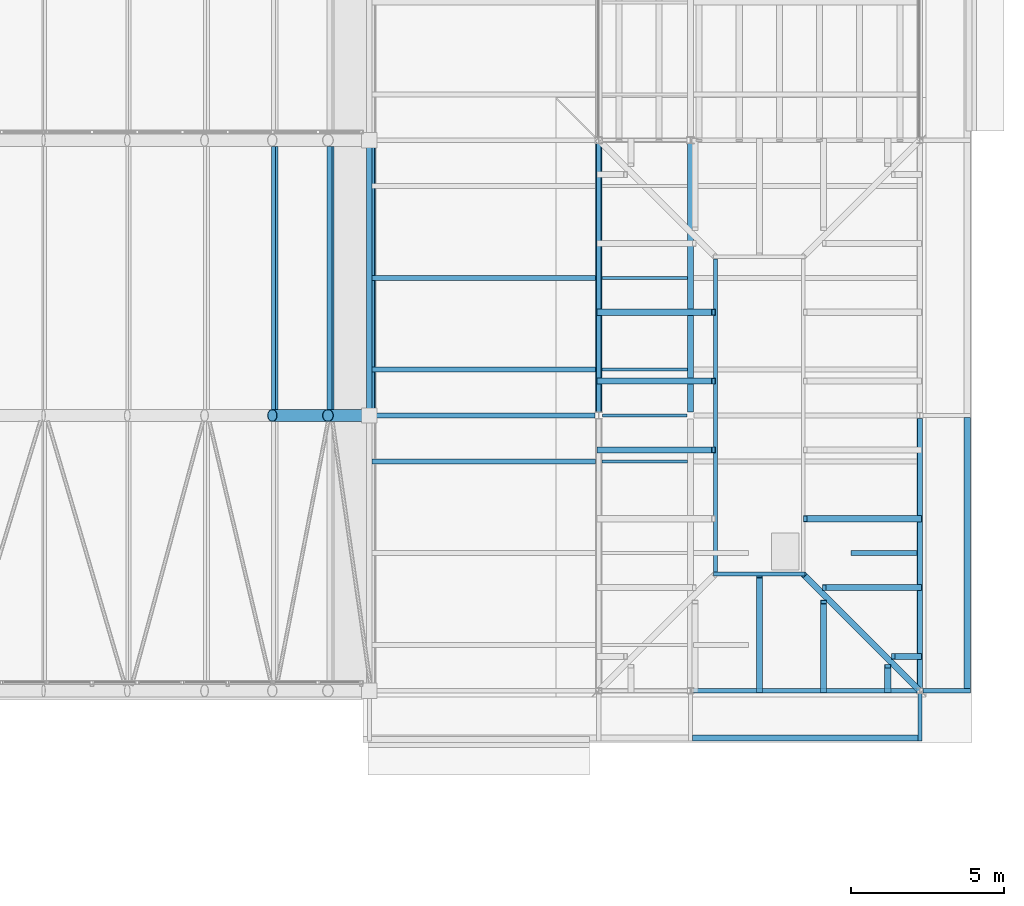
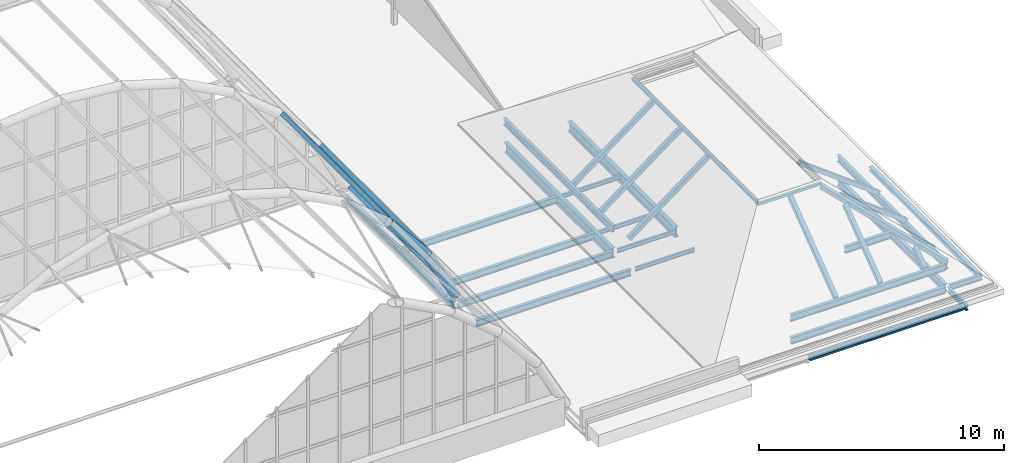
# One storey, part 30 of 121: 21 beams, 17 members.
"""IFC4 building model written with IfcOpenShell, lengths in metres."""

from ifc_helpers import new_model, si_unit, direction, frame, origin, origin_2d, place, context, subcontext, project, spatial, hollow_rectangle, hollow_circle, i_section, extrude, material, material_profile, profile_set, type_object, element, save


model = new_model("IFC4")

# Units and contexts
model_context = context("Model", 3, precision=1e-05, world=origin(), true_north=direction((0.0, 1.0)))
body_context = subcontext(model_context, "Body", "Model", "MODEL_VIEW")
ifc_project = project(units=[si_unit("LENGTHUNIT", "METRE"), si_unit("AREAUNIT", "SQUARE_METRE"), si_unit("VOLUMEUNIT", "CUBIC_METRE"), si_unit("PLANEANGLEUNIT", "RADIAN"), si_unit("MASSUNIT", "GRAM", prefix="KILO")], contexts=[model_context])

# Site, building, storey
site_placement = place(None, origin())
site = spatial("IfcSite", under=ifc_project, at=site_placement, CompositionType="ELEMENT")
building_placement = place(site_placement, origin())
building = spatial("IfcBuilding", under=site, at=building_placement, Name="Golden Quay Civic Hall", CompositionType="ELEMENT")
storey_placement = place(building_placement, frame((0.0, 0.0, 18.60009765625)))
storey = spatial("IfcBuildingStorey", under=building, at=storey_placement, Name="L04", CompositionType="ELEMENT", Elevation=18.60009765625)

# Beams
ifc_material_1 = material(Name="Steel S355", Category="steel")
ifc_material_profile_1 = material_profile(ifc_material_1, i_section(OverallWidth=0.199951171875, OverallDepth=0.18994140625, WebThickness=0.006591796875, FlangeThickness=0.010009765625, FilletRadius=0.01806640625, at=origin_2d()), Name="HEA 200")
ifc_profile_set_1 = profile_set([ifc_material_profile_1], Name="Steel S355")
beam_type_1 = type_object("IfcBeamType", Name="Eave edge beam HEA 200", PredefinedType="BEAM", material=ifc_profile_set_1)
beam_1_placement = place(storey_placement, frame((118.550048828125, 0.0673828125, -0.34521484375), z_axis=(0.0, 1.0, 0.0), x_axis=(-1.0, 0.0, 0.0)))
element("IfcBeam", 1, at=beam_1_placement, inside=storey, type_object=beam_type_1, Name="Eave edge beam HEA 200 L04 16", PredefinedType="BEAM", context=body_context, shape_type="SweptSolid", body=[
    extrude(i_section(OverallWidth=0.199951171875, OverallDepth=0.18994140625, WebThickness=0.006591796875, FlangeThickness=0.010009765625, FilletRadius=0.01806640625, at=origin_2d()), origin(), (0.0, 0.0, 1.0), 8.865234375),
])
beam_2_placement = place(storey_placement, frame((109.5673828125, -1.550048828125, -0.34521484375), z_axis=(1.0, 0.0, 0.0), x_axis=(0.0, 1.0, 0.0)))
element("IfcBeam", 2, at=beam_2_placement, inside=storey, type_object=beam_type_1, Name="Eave edge beam HEA 200 L04 24", PredefinedType="BEAM", context=body_context, shape_type="SweptSolid", body=[
    extrude(i_section(OverallWidth=0.199951171875, OverallDepth=0.18994140625, WebThickness=0.006591796875, FlangeThickness=0.010009765625, FilletRadius=0.01806640625, at=origin_2d()), origin(), (0.0, 0.0, 1.0), 7.365234375),
])
ifc_material_2 = material(Name="Steel S355", Category="steel")
ifc_material_profile_2 = material_profile(ifc_material_2, i_section(OverallWidth=0.135009765625, OverallDepth=0.27001953125, WebThickness=0.006591796875, FlangeThickness=0.01025390625, FilletRadius=0.014892578125, at=origin_2d()), Name="IPE 270")
ifc_profile_set_2 = profile_set([ifc_material_profile_2], Name="Steel S355")
beam_type_2 = type_object("IfcBeamType", Name="Eave stub IPE 270", PredefinedType="BEAM", material=ifc_profile_set_2)
beam_3_placement = place(storey_placement, frame((117.10009765625, 0.0, -0.385009765625), z_axis=(1.0, 0.0, 0.0), x_axis=(0.0, 1.0, 0.0)))
element("IfcBeam", 3, at=beam_3_placement, inside=storey, type_object=beam_type_2, Name="Eave stub IPE 270 L04 20", PredefinedType="BEAM", context=body_context, shape_type="SweptSolid", body=[
    extrude(i_section(OverallWidth=0.135009765625, OverallDepth=0.27001953125, WebThickness=0.006591796875, FlangeThickness=0.01025390625, FilletRadius=0.014892578125, at=origin_2d()), origin(), (0.0, 0.0, 1.0), 1.5498046875),
])
beam_4_placement = place(storey_placement, frame((117.0, -0.094970703125, -0.385009765625), z_axis=(0.0, -1.0, 0.0), x_axis=(1.0, 0.0, 0.0)))
element("IfcBeam", 4, at=beam_4_placement, inside=storey, type_object=beam_type_2, Name="Eave stub IPE 270 L04 30", PredefinedType="BEAM", context=body_context, shape_type="SweptSolid", body=[
    extrude(i_section(OverallWidth=0.135009765625, OverallDepth=0.27001953125, WebThickness=0.006591796875, FlangeThickness=0.01025390625, FilletRadius=0.014892578125, at=origin_2d()), origin(), (0.0, 0.0, 1.0), 1.554931640625),
])

# Members
ifc_material_3 = material(Name="Steel S355", Category="steel")
ifc_material_profile_3 = material_profile(ifc_material_3, hollow_circle(Radius=0.203125, WallThickness=0.01611328125, at=origin_2d()), Name="CHS 406.4x16")
ifc_profile_set_3 = profile_set([ifc_material_profile_3], Name="Steel S355")
member_type_1 = type_object("IfcMemberType", Name="Steel arch rib CHS 406.4x16", PredefinedType="USERDEFINED", material=ifc_profile_set_3)
for number, where, z_axis, x_axis, name in (
    (5, (95.826904296875, 9.0, 4.830810546875), (0.635608575128, 0.0, -0.772011489049), (0.0, 1.0, 0.0), "Arch rib 2 segment 11"),
    (6, (97.64599609375, 9.0, 2.621337890625), (0.473092307375, 0.0, -0.881012865231), (0.0, 1.0, 0.0), "Arch rib 2 segment 12"),
):
    element("IfcMember", number, at=place(storey_placement, frame(where, z_axis=z_axis, x_axis=x_axis)), inside=storey, type_object=member_type_1, Name=name, ObjectType="ARCH RIB", PredefinedType="USERDEFINED", context=body_context, shape_type="SweptSolid", body=[
        extrude(hollow_circle(Radius=0.203125, WallThickness=0.01611328125, at=origin_2d()), origin(), (0.0, 0.0, 1.0), 2.862060546875),
    ])

# Beams
ifc_material_4 = material(Name="Steel S355", Category="steel")
ifc_material_profile_4 = material_profile(ifc_material_4, i_section(OverallWidth=0.10009765625, OverallDepth=0.199951171875, WebThickness=0.005615234375, FlangeThickness=0.008544921875, FilletRadius=0.011962890625, at=origin_2d()), Name="IPE 200")
ifc_profile_set_4 = profile_set([ifc_material_profile_4], Name="Steel S355")
beam_type_3 = type_object("IfcBeamType", Name="Steel beam IPE 200", PredefinedType="BEAM", material=ifc_profile_set_4)
beam_5_placement = place(storey_placement, frame((106.6201171875, 9.0, -0.35009765625), z_axis=(1.0, 0.0, 0.0), x_axis=(0.0, 1.0, 0.0)))
element("IfcBeam", 7, at=beam_5_placement, inside=storey, type_object=beam_type_3, Name="Beam S9-106.5", PredefinedType="BEAM", context=body_context, shape_type="SweptSolid", body=[
    extrude(i_section(OverallWidth=0.10009765625, OverallDepth=0.199951171875, WebThickness=0.005615234375, FlangeThickness=0.008544921875, FilletRadius=0.011962890625, at=origin_2d()), origin(), (0.0, 0.0, 1.0), 2.759765625),
])
ifc_material_5 = material(Name="Steel S355", Category="steel")
ifc_material_profile_5 = material_profile(ifc_material_5, i_section(OverallWidth=0.159912109375, OverallDepth=0.330078125, WebThickness=0.007568359375, FlangeThickness=0.011474609375, FilletRadius=0.01806640625, at=origin_2d()), Name="IPE 330")
ifc_profile_set_5 = profile_set([ifc_material_profile_5], Name="Steel S355")
beam_type_4 = type_object("IfcBeamType", Name="Steel beam IPE 330", PredefinedType="BEAM", material=ifc_profile_set_5)
beam_6_placement = place(storey_placement, frame((109.60009765625, 0.0, -0.4150390625), z_axis=(1.0, 0.0, 0.0), x_axis=(0.0, 1.0, 0.0)))
element("IfcBeam", 8, at=beam_6_placement, inside=storey, type_object=beam_type_4, Name="Beam S0-109.5", PredefinedType="BEAM", context=body_context, shape_type="SweptSolid", body=[
    extrude(i_section(OverallWidth=0.159912109375, OverallDepth=0.330078125, WebThickness=0.007568359375, FlangeThickness=0.011474609375, FilletRadius=0.01806640625, at=origin_2d()), origin(), (0.0, 0.0, 1.0), 7.2998046875),
])
beam_7_placement = place(storey_placement, frame((99.10009765625, 9.0, -0.4150390625), z_axis=(1.0, 0.0, 0.0), x_axis=(0.0, 1.0, 0.0)))
element("IfcBeam", 9, at=beam_7_placement, inside=storey, type_object=beam_type_4, Name="Beam S9-99", PredefinedType="BEAM", context=body_context, shape_type="SweptSolid", body=[
    extrude(i_section(OverallWidth=0.159912109375, OverallDepth=0.330078125, WebThickness=0.007568359375, FlangeThickness=0.011474609375, FilletRadius=0.01806640625, at=origin_2d()), origin(), (0.0, 0.0, 1.0), 7.27978515625),
])
ifc_material_6 = material(Name="Steel S355", Category="steel")
ifc_material_profile_6 = material_profile(ifc_material_6, i_section(OverallWidth=0.179931640625, OverallDepth=0.39990234375, WebThickness=0.008544921875, FlangeThickness=0.013427734375, FilletRadius=0.02099609375, at=origin_2d()), Name="IPE 400")
ifc_profile_set_6 = profile_set([ifc_material_profile_6], Name="Steel S355")
beam_type_5 = type_object("IfcBeamType", Name="Steel beam IPE 400", PredefinedType="BEAM", material=ifc_profile_set_6)
for number, where, z_axis, x_axis, name in (
    (10, (99.0, 9.094970703125, -0.4501953125), (0.0, 1.0, 0.0), (-1.0, 0.0, 0.0), "Beam L99-9"),
    (11, (117.0, 0.094970703125, -0.4501953125), (0.0, 1.0, 0.0), (-1.0, 0.0, 0.0), "Beam L117-0"),
):
    element("IfcBeam", number, at=place(storey_placement, frame(where, z_axis=z_axis, x_axis=x_axis)), inside=storey, type_object=beam_type_5, Name=name, PredefinedType="BEAM", context=body_context, shape_type="SweptSolid", body=[
        extrude(i_section(OverallWidth=0.179931640625, OverallDepth=0.39990234375, WebThickness=0.008544921875, FlangeThickness=0.013427734375, FilletRadius=0.02099609375, at=origin_2d()), origin(), (0.0, 0.0, 1.0), 8.81005859375),
    ])
ifc_material_7 = material(Name="Steel S355", Category="steel")
ifc_material_profile_7 = material_profile(ifc_material_7, i_section(OverallWidth=0.199951171875, OverallDepth=0.5, WebThickness=0.01025390625, FlangeThickness=0.01611328125, FilletRadius=0.02099609375, at=origin_2d()), Name="IPE 500")
ifc_profile_set_7 = profile_set([ifc_material_profile_7], Name="Steel S355")
beam_type_6 = type_object("IfcBeamType", Name="Steel beam IPE 500", PredefinedType="BEAM", material=ifc_profile_set_7)
for number, where, z_axis, x_axis, name in (
    (12, (106.5, 9.114990234375, -0.5), (0.0, 1.0, 0.0), (-1.0, 0.0, 0.0), "Beam L106.5-9"),
    (13, (109.5, 9.114990234375, -0.5), (0.0, 1.0, 0.0), (-1.0, 0.0, 0.0), "Beam L109.5-9"),
):
    element("IfcBeam", number, at=place(storey_placement, frame(where, z_axis=z_axis, x_axis=x_axis)), inside=storey, type_object=beam_type_6, Name=name, PredefinedType="BEAM", context=body_context, shape_type="SweptSolid", body=[
        extrude(i_section(OverallWidth=0.199951171875, OverallDepth=0.5, WebThickness=0.01025390625, FlangeThickness=0.01611328125, FilletRadius=0.02099609375, at=origin_2d()), origin(), (0.0, 0.0, 1.0), 8.77001953125),
    ])

# Members
ifc_material_8 = material(Name="Steel S355", Category="steel")
ifc_material_profile_8 = material_profile(ifc_material_8, hollow_rectangle(XDim=0.199951171875, YDim=0.199951171875, WallThickness=0.010009765625, at=origin_2d()), Name="SHS 200x200x10")
ifc_profile_set_8 = profile_set([ifc_material_profile_8], Name="Steel S355")
member_type_2 = type_object("IfcMemberType", Name="Steel jack rafter SHS 200x200x10", PredefinedType="RAFTER", material=ifc_profile_set_8)
member_1_placement = place(storey_placement, frame((111.75, 0.0, 0.96484375), z_axis=(0.0, 0.8, 0.6), x_axis=(-1.0, 0.0, 0.0)))
element("IfcMember", 14, at=member_1_placement, inside=storey, type_object=member_type_2, Name="Jack rafter EM-S south 3", PredefinedType="RAFTER", context=body_context, shape_type="SweptSolid", body=[
    extrude(hollow_rectangle(XDim=0.199951171875, YDim=0.199951171875, WallThickness=0.010009765625, at=origin_2d()), origin(), (0.0, 0.0, 1.0), 4.6875),
])
member_2_placement = place(storey_placement, frame((113.85009765625, 0.0, 0.96484375), z_axis=(0.0, 0.799983835699, 0.600021551797), x_axis=(-1.0, 0.0, 0.0)))
element("IfcMember", 15, at=member_2_placement, inside=storey, type_object=member_type_2, Name="Jack rafter EM-S south 4", PredefinedType="RAFTER", context=body_context, shape_type="SweptSolid", body=[
    extrude(hollow_rectangle(XDim=0.199951171875, YDim=0.199951171875, WallThickness=0.010009765625, at=origin_2d()), origin(), (0.0, 0.0, 1.0), 3.625),
])
member_3_placement = place(storey_placement, frame((115.949951171875, 0.0, 0.96484375), z_axis=(0.0, 0.799970705032, 0.600039057971), x_axis=(-1.0, 0.0, 0.0)))
element("IfcMember", 16, at=member_3_placement, inside=storey, type_object=member_type_2, Name="Jack rafter EM-S south 5", PredefinedType="RAFTER", context=body_context, shape_type="SweptSolid", body=[
    extrude(hollow_rectangle(XDim=0.199951171875, YDim=0.199951171875, WallThickness=0.010009765625, at=origin_2d()), origin(), (0.0, 0.0, 1.0), 1.0),
])
for number, where, z_axis, x_axis, name in (
    (17, (106.5, 7.875, 0.96484375), (0.8, 0.0, 0.6), (0.0, 1.0, 0.0), "Jack rafter EM-S west 4"),
    (18, (106.5, 10.125, 0.96484375), (0.8, 0.0, 0.6), (0.0, 1.0, 0.0), "Jack rafter EM-S west 5"),
    (19, (106.5, 12.375, 0.96484375), (0.8, 0.0, 0.6), (0.0, 1.0, 0.0), "Jack rafter EM-S west 6"),
):
    element("IfcMember", number, at=place(storey_placement, frame(where, z_axis=z_axis, x_axis=x_axis)), inside=storey, type_object=member_type_2, Name=name, PredefinedType="RAFTER", context=body_context, shape_type="SweptSolid", body=[
        extrude(hollow_rectangle(XDim=0.199951171875, YDim=0.199951171875, WallThickness=0.010009765625, at=origin_2d()), origin(), (0.0, 0.0, 1.0), 4.6875),
    ])
member_4_placement = place(storey_placement, frame((117.0, 1.125, 0.96484375), z_axis=(-0.8, 0.0, 0.6), x_axis=(0.0, -1.0, 0.0)))
element("IfcMember", 20, at=member_4_placement, inside=storey, type_object=member_type_2, Name="Jack rafter EM-S east 1", PredefinedType="RAFTER", context=body_context, shape_type="SweptSolid", body=[
    extrude(hollow_rectangle(XDim=0.199951171875, YDim=0.199951171875, WallThickness=0.010009765625, at=origin_2d()), origin(), (0.0, 0.0, 1.0), 1.09375),
])
member_5_placement = place(storey_placement, frame((117.0, 3.375, 0.96484375), z_axis=(-0.8, 0.0, 0.6), x_axis=(0.0, -1.0, 0.0)))
element("IfcMember", 21, at=member_5_placement, inside=storey, type_object=member_type_2, Name="Jack rafter EM-S east 2", PredefinedType="RAFTER", context=body_context, shape_type="SweptSolid", body=[
    extrude(hollow_rectangle(XDim=0.199951171875, YDim=0.199951171875, WallThickness=0.010009765625, at=origin_2d()), origin(), (0.0, 0.0, 1.0), 3.90625),
])
member_6_placement = place(storey_placement, frame((117.0, 5.625, 0.96484375), z_axis=(-0.8, 0.0, 0.6), x_axis=(0.0, -1.0, 0.0)))
element("IfcMember", 22, at=member_6_placement, inside=storey, type_object=member_type_2, Name="Jack rafter EM-S east 3", PredefinedType="RAFTER", context=body_context, shape_type="SweptSolid", body=[
    extrude(hollow_rectangle(XDim=0.199951171875, YDim=0.199951171875, WallThickness=0.010009765625, at=origin_2d()), origin(), (0.0, 0.0, 1.0), 4.6875),
])

# Beams
ifc_material_9 = material(Name="Steel S355", Category="steel")
ifc_material_profile_9 = material_profile(ifc_material_9, i_section(OverallWidth=0.10009765625, OverallDepth=0.199951171875, WebThickness=0.005615234375, FlangeThickness=0.008544921875, FilletRadius=0.011962890625, at=origin_2d()), Name="IPE 200")
ifc_profile_set_9 = profile_set([ifc_material_profile_9], Name="Steel S355")
beam_type_7 = type_object("IfcBeamType", Name="Steel joist IPE 200", PredefinedType="JOIST", material=ifc_profile_set_9)
for number, where, z_axis, x_axis, name in (
    (23, (106.60009765625, 7.5, -0.35009765625), (1.0, 0.0, 0.0), (0.0, 1.0, 0.0), "Joist J7.5-106.5"),
    (24, (106.60009765625, 10.5, -0.35009765625), (1.0, 0.0, 0.0), (0.0, 1.0, 0.0), "Joist J10.5-106.5"),
    (25, (106.60009765625, 13.5, -0.35009765625), (1.0, 0.0, 0.0), (0.0, 1.0, 0.0), "Joist J13.5-106.5"),
):
    element("IfcBeam", number, at=place(storey_placement, frame(where, z_axis=z_axis, x_axis=x_axis)), inside=storey, type_object=beam_type_7, Name=name, PredefinedType="JOIST", context=body_context, shape_type="SweptSolid", body=[
        extrude(i_section(OverallWidth=0.10009765625, OverallDepth=0.199951171875, WebThickness=0.005615234375, FlangeThickness=0.008544921875, FilletRadius=0.011962890625, at=origin_2d()), origin(), (0.0, 0.0, 1.0), 2.7998046875),
    ])
ifc_material_10 = material(Name="Steel S355", Category="steel")
ifc_material_profile_10 = material_profile(ifc_material_10, i_section(OverallWidth=0.159912109375, OverallDepth=0.330078125, WebThickness=0.007568359375, FlangeThickness=0.011474609375, FilletRadius=0.01806640625, at=origin_2d()), Name="IPE 330")
ifc_profile_set_10 = profile_set([ifc_material_profile_10], Name="Steel S355")
beam_type_8 = type_object("IfcBeamType", Name="Steel joist IPE 330", PredefinedType="JOIST", material=ifc_profile_set_10)
beam_8_placement = place(storey_placement, frame((114.75, 4.5, -0.4150390625), z_axis=(1.0, 0.0, 0.0), x_axis=(0.0, 1.0, 0.0)))
element("IfcBeam", 26, at=beam_8_placement, inside=storey, type_object=beam_type_8, Name="Joist J4.5-109.5-1", PredefinedType="JOIST", context=body_context, shape_type="SweptSolid", body=[
    extrude(i_section(OverallWidth=0.159912109375, OverallDepth=0.330078125, WebThickness=0.007568359375, FlangeThickness=0.011474609375, FilletRadius=0.01806640625, at=origin_2d()), origin(), (0.0, 0.0, 1.0), 2.159912109375),
])
for number, where, z_axis, x_axis, name in (
    (27, (99.090087890625, 7.5, -0.4150390625), (1.0, 0.0, 0.0), (0.0, 1.0, 0.0), "Joist J7.5-99"),
    (28, (99.090087890625, 10.5, -0.4150390625), (1.0, 0.0, 0.0), (0.0, 1.0, 0.0), "Joist J10.5-99"),
    (29, (99.090087890625, 13.5, -0.4150390625), (1.0, 0.0, 0.0), (0.0, 1.0, 0.0), "Joist J13.5-99"),
):
    element("IfcBeam", number, at=place(storey_placement, frame(where, z_axis=z_axis, x_axis=x_axis)), inside=storey, type_object=beam_type_8, Name=name, PredefinedType="JOIST", context=body_context, shape_type="SweptSolid", body=[
        extrude(i_section(OverallWidth=0.159912109375, OverallDepth=0.330078125, WebThickness=0.007568359375, FlangeThickness=0.011474609375, FilletRadius=0.01806640625, at=origin_2d()), origin(), (0.0, 0.0, 1.0), 7.309814453125),
    ])

# Members
ifc_material_11 = material(Name="Steel S355", Category="steel")
ifc_material_profile_11 = material_profile(ifc_material_11, hollow_rectangle(XDim=0.199951171875, YDim=0.199951171875, WallThickness=0.010009765625, at=origin_2d()), Name="SHS 200x200x10")
ifc_profile_set_11 = profile_set([ifc_material_profile_11], Name="Steel S355")
member_type_3 = type_object("IfcMemberType", Name="Steel pavilion hip rafter SHS 200x200x10", PredefinedType="RAFTER", material=ifc_profile_set_11)
member_7_placement = place(storey_placement, frame((117.0, 0.0, 0.92822265625), z_axis=(-0.625782928891, 0.625782928891, 0.465608689584), x_axis=(-0.707106781187, -0.707106781187, 0.0)))
element("IfcMember", 30, at=member_7_placement, inside=storey, type_object=member_type_3, Name="Hip rafter EM-S south-east", PredefinedType="RAFTER", context=body_context, shape_type="SweptSolid", body=[
    extrude(hollow_rectangle(XDim=0.199951171875, YDim=0.199951171875, WallThickness=0.010009765625, at=origin_2d()), origin(), (0.0, 0.0, 1.0), 6.04052734375),
])
ifc_material_12 = material(Name="Steel S355", Category="steel")
ifc_material_profile_12 = material_profile(ifc_material_12, hollow_rectangle(XDim=0.10009765625, YDim=0.199951171875, WallThickness=0.008056640625, at=origin_2d()), Name="RHS 200x100x8")
ifc_profile_set_12 = profile_set([ifc_material_profile_12], Name="Steel S355")
member_type_4 = type_object("IfcMemberType", Name="Steel purlin RHS 200x100x8", PredefinedType="PURLIN", material=ifc_profile_set_12)
for number, where, z_axis, x_axis, name in (
    (31, (95.89990234375, 9.203125, 4.90380859375), (0.0, 1.0, 0.0), (-0.708092289314, 0.0, 0.70611989762), "Purlin 2.11"),
    (32, (97.731689453125, 9.203125, 2.6787109375), (0.0, 1.0, 0.0), (-0.557018943033, 0.0, 0.830499787539), "Purlin 2.12"),
    (33, (99.09521484375, 9.203125, 0.1396484375), (0.0, 1.0, 0.0), (-0.384615384615, 0.0, 0.923076923077), "Purlin 2.13"),
):
    element("IfcMember", number, at=place(storey_placement, frame(where, z_axis=z_axis, x_axis=x_axis)), inside=storey, type_object=member_type_4, Name=name, PredefinedType="PURLIN", context=body_context, shape_type="SweptSolid", body=[
        extrude(hollow_rectangle(XDim=0.10009765625, YDim=0.199951171875, WallThickness=0.008056640625, at=origin_2d()), origin(), (0.0, 0.0, 1.0), 8.59375),
    ])
ifc_material_13 = material(Name="Steel S355", Category="steel")
ifc_material_profile_13 = material_profile(ifc_material_13, hollow_rectangle(XDim=0.1201171875, YDim=0.1201171875, WallThickness=0.008056640625, at=origin_2d()), Name="SHS 120x120x8")
ifc_profile_set_13 = profile_set([ifc_material_profile_13], Name="Steel S355")
member_type_5 = type_object("IfcMemberType", Name="Steel roof purlin SHS 120x120x8", PredefinedType="PURLIN", material=ifc_profile_set_13)
member_8_placement = place(storey_placement, frame((110.25, 3.81494140625, 3.84228515625), z_axis=(1.0, 0.0, 0.0), x_axis=(0.0, 1.0, 0.0)))
element("IfcMember", 34, at=member_8_placement, inside=storey, type_object=member_type_5, Name="Cap purlin EM-S south", PredefinedType="PURLIN", context=body_context, shape_type="SweptSolid", body=[
    extrude(hollow_rectangle(XDim=0.1201171875, YDim=0.1201171875, WallThickness=0.008056640625, at=origin_2d()), origin(), (0.0, 0.0, 1.0), 3.0),
])
member_9_placement = place(storey_placement, frame((110.31494140625, 3.8798828125, 3.84228515625), z_axis=(0.0, 1.0, 0.0), x_axis=(-1.0, 0.0, 0.0)))
element("IfcMember", 35, at=member_9_placement, inside=storey, type_object=member_type_5, Name="Cap purlin EM-S west", PredefinedType="PURLIN", context=body_context, shape_type="SweptSolid", body=[
    extrude(hollow_rectangle(XDim=0.1201171875, YDim=0.1201171875, WallThickness=0.008056640625, at=origin_2d()), origin(), (0.0, 0.0, 1.0), 10.240234375),
])

# Beams
ifc_material_14 = material(Name="Steel S355", Category="steel")
ifc_material_profile_14 = material_profile(ifc_material_14, i_section(OverallWidth=0.159912109375, OverallDepth=0.330078125, WebThickness=0.007568359375, FlangeThickness=0.011474609375, FilletRadius=0.01806640625, at=origin_2d()), Name="IPE 330")
ifc_profile_set_14 = profile_set([ifc_material_profile_14], Name="Steel S355")
beam_type_9 = type_object("IfcBeamType", Name="Steel wall plate beam IPE 330", PredefinedType="BEAM", material=ifc_profile_set_14)
beam_9_placement = place(storey_placement, frame((109.60009765625, 0.0, 0.719970703125), z_axis=(1.0, 0.0, 0.0), x_axis=(0.0, 1.0, 0.0)))
element("IfcBeam", 36, at=beam_9_placement, inside=storey, type_object=beam_type_9, Name="Wall plate beam EM-S S2", PredefinedType="BEAM", context=body_context, shape_type="SweptSolid", body=[
    extrude(i_section(OverallWidth=0.159912109375, OverallDepth=0.330078125, WebThickness=0.007568359375, FlangeThickness=0.011474609375, FilletRadius=0.01806640625, at=origin_2d()), origin(), (0.0, 0.0, 1.0), 7.31982421875),
])
beam_10_placement = place(storey_placement, frame((106.5, 9.114990234375, 0.719970703125), z_axis=(0.0, 1.0, 0.0), x_axis=(-1.0, 0.0, 0.0)))
element("IfcBeam", 37, at=beam_10_placement, inside=storey, type_object=beam_type_9, Name="Wall plate beam EM-S W2", PredefinedType="BEAM", context=body_context, shape_type="SweptSolid", body=[
    extrude(i_section(OverallWidth=0.159912109375, OverallDepth=0.330078125, WebThickness=0.007568359375, FlangeThickness=0.011474609375, FilletRadius=0.01806640625, at=origin_2d()), origin(), (0.0, 0.0, 1.0), 8.885009765625),
])
beam_11_placement = place(storey_placement, frame((117.0, 0.0, 0.719970703125), z_axis=(0.0, 1.0, 0.0), x_axis=(-1.0, 0.0, 0.0)))
element("IfcBeam", 38, at=beam_11_placement, inside=storey, type_object=beam_type_9, Name="Wall plate beam EM-S E1", PredefinedType="BEAM", context=body_context, shape_type="SweptSolid", body=[
    extrude(i_section(OverallWidth=0.159912109375, OverallDepth=0.330078125, WebThickness=0.007568359375, FlangeThickness=0.011474609375, FilletRadius=0.01806640625, at=origin_2d()), origin(), (0.0, 0.0, 1.0), 8.905029296875),
])

save(model, "model.ifc")
